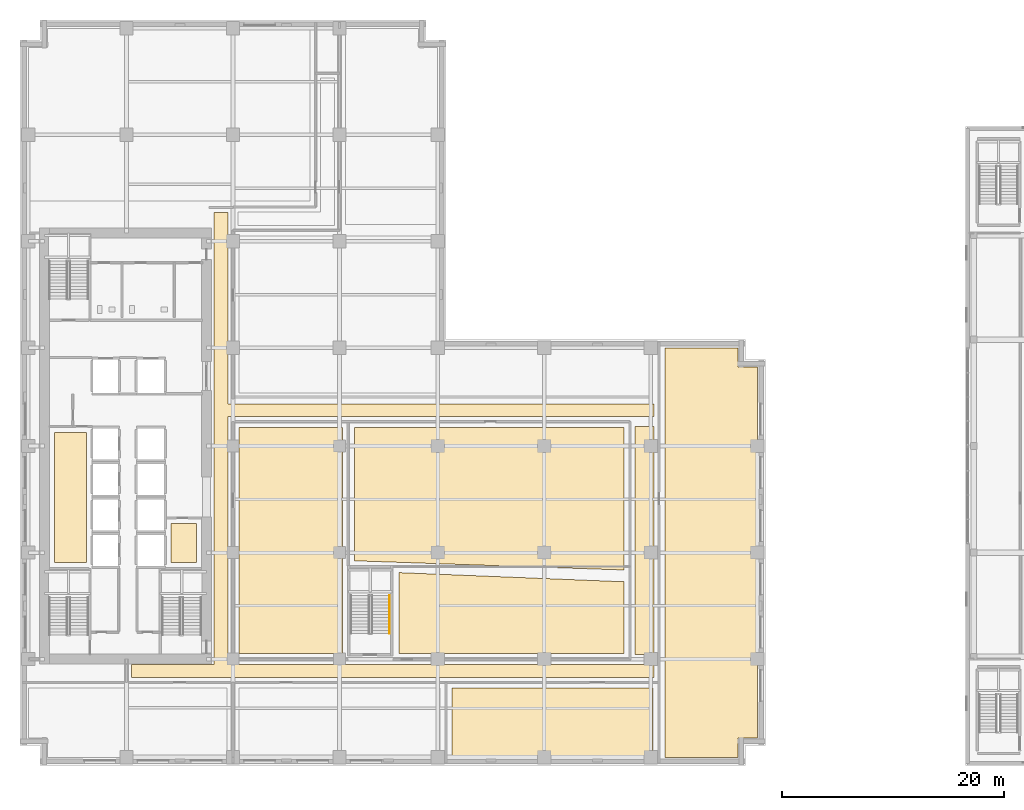
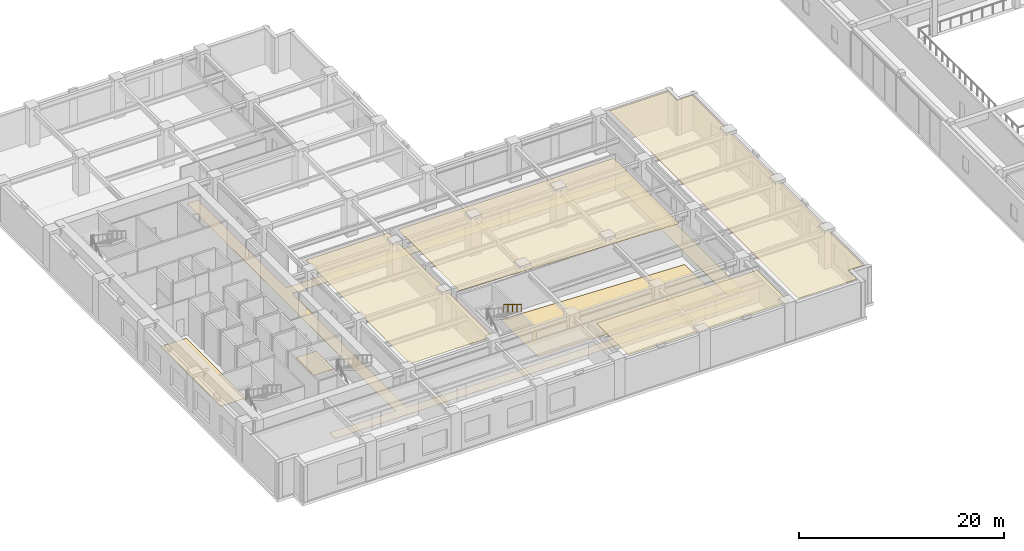
# One storey, part 19 of 24: 9 coverings, 1 railing.
"""IFC4 building model written with IfcOpenShell, lengths in metres."""

import ifcopenshell
import ifcopenshell.guid

model = None  # the IFC model being written
_history = None  # IfcOwnerHistory: only IFC2X3 demands one
_inside = {}  # id of a spatial element -> (the spatial element, [elements in it])
_under = {}  # id of a project, library or spatial element -> (it, [spatial elements below it])
_declared = {}  # id of a project -> (the project, [libraries it declares])
_typed = {}  # id of a type object -> (the type object, [elements of that type])
_made_of = {}  # id of a material, layer set ... -> (it, [elements and type objects made of it])


def new_model(schema):
    """Start an empty IFC model of exactly this schema.

    Asked for "IFC4X3", IfcOpenShell would pick the latest addendum, in which some entities
    have other attributes; the version numbers below select the first issue.
    IFC2X3 requires an IfcOwnerHistory on every rooted entity: one is made here for all.
    """
    global model, _history
    if schema == "IFC4X3":
        model = ifcopenshell.file(schema_version=(4, 3, 0, 0))
    else:
        model = ifcopenshell.file(schema=schema)
    _inside.clear()
    _under.clear()
    _declared.clear()
    _typed.clear()
    _made_of.clear()
    _history = None
    if model.schema == "IFC2X3":
        org = make("IfcOrganization", Name="unknown")
        user = make(
            "IfcPersonAndOrganization",
            ThePerson=make("IfcPerson", FamilyName="unknown"),
            TheOrganization=org,
        )
        app = make(
            "IfcApplication",
            ApplicationDeveloper=org,
            Version="unknown",
            ApplicationFullName="unknown",
            ApplicationIdentifier="unknown",
        )
        _history = make(
            "IfcOwnerHistory",
            OwningUser=user,
            OwningApplication=app,
            ChangeAction="ADDED",
            CreationDate=0,
        )
    return model


def make(cls, **values):
    """One entity of the class cls with the attributes given. An attribute that is None is left unset."""
    return model.create_entity(
        cls, **{name: value for name, value in values.items() if value is not None}
    )


def rooted(cls, **values):
    """An entity with a GlobalId (a new one), such as an element, a storey or a relation."""
    return make(cls, GlobalId=ifcopenshell.guid.new(), OwnerHistory=_history, **values)


def si_unit(unit_type, name, prefix=None):
    """IfcSIUnit, for example si_unit("LENGTHUNIT", "METRE", prefix="MILLI")."""
    return make("IfcSIUnit", UnitType=unit_type, Prefix=prefix, Name=name)


def assignment(units):
    """IfcUnitAssignment: the units of a project."""
    return None if units is None else make("IfcUnitAssignment", Units=units)


def point(xyz):
    """IfcCartesianPoint."""
    return None if xyz is None else make("IfcCartesianPoint", Coordinates=xyz)


def direction(xyz):
    """IfcDirection."""
    return None if xyz is None else make("IfcDirection", DirectionRatios=xyz)


def frame(location, z_axis=None, x_axis=None):
    """IfcAxis2Placement3D, a coordinate frame: its origin and axes. An axis left out is left unset."""
    return make(
        "IfcAxis2Placement3D",
        Location=point(location),
        Axis=direction(z_axis),
        RefDirection=direction(x_axis),
    )


def frame_2d(location, x_axis=None):
    """IfcAxis2Placement2D, a coordinate frame in the plane: its origin and x axis."""
    return make(
        "IfcAxis2Placement2D", Location=point(location), RefDirection=direction(x_axis)
    )


def origin():
    """The frame at (0, 0, 0) with its axes left unset."""
    return frame((0.0, 0.0, 0.0))


def origin_2d():
    """The frame at (0, 0) in the plane with its x axis left unset."""
    return frame_2d((0.0, 0.0))


def place(relative_to, where):
    """IfcLocalPlacement: puts the frame where relative to a parent placement (None: the world)."""
    return make(
        "IfcLocalPlacement", PlacementRelTo=relative_to, RelativePlacement=where
    )


def context(
    kind, dimensions, precision=None, world=None, true_north=None, identifier=None
):
    """IfcGeometricRepresentationContext, for example the 3D "Model" context."""
    return make(
        "IfcGeometricRepresentationContext",
        ContextIdentifier=identifier,
        ContextType=kind,
        CoordinateSpaceDimension=dimensions,
        Precision=precision,
        WorldCoordinateSystem=world,
        TrueNorth=true_north,
    )


def subcontext(parent, identifier, kind, view, scale=None):
    """IfcGeometricRepresentationSubContext, for example "Body" below "Model"."""
    return make(
        "IfcGeometricRepresentationSubContext",
        ContextIdentifier=identifier,
        ContextType=kind,
        ParentContext=parent,
        TargetScale=scale,
        TargetView=view,
    )


def project(units=None, contexts=None):
    """IfcProject with its units and contexts."""
    return rooted(
        "IfcProject",
        Name="project",
        RepresentationContexts=contexts,
        UnitsInContext=assignment(units),
    )


def spatial(cls, under=None, at=None, **own):
    """A site, building, storey or space (cls), placed at a placement, below another one or the project."""
    s = rooted(cls, ObjectPlacement=at, **own)
    if under is not None:
        _under.setdefault(under.id(), (under, []))[1].append(s)
    return s


def polyline(points):
    """IfcPolyline through the points."""
    return make("IfcPolyline", Points=[point(p) for p in points])


def profile(cls, at=None, kind="AREA", **sizes):
    """A parametric profile (cls). Its sizes go by their IFC names, for example OverallWidth=200.0."""
    return make(cls, ProfileType=kind, Position=at, **sizes)


def circle(**sizes):
    """IfcCircleProfileDef."""
    return profile("IfcCircleProfileDef", **sizes)


def outline(outer, holes=None, kind="AREA"):
    """IfcArbitraryClosedProfileDef: a profile drawn as a closed curve; with holes, ...WithVoids."""
    if holes is None:
        return make("IfcArbitraryClosedProfileDef", ProfileType=kind, OuterCurve=outer)
    return make(
        "IfcArbitraryProfileDefWithVoids",
        ProfileType=kind,
        OuterCurve=outer,
        InnerCurves=holes,
    )


def extrude(swept, where, along, depth):
    """IfcExtrudedAreaSolid: the profile swept, set in the frame where, extruded along a direction by depth."""
    return make(
        "IfcExtrudedAreaSolid",
        SweptArea=swept,
        Position=where,
        ExtrudedDirection=direction(along),
        Depth=depth,
    )


def shape(context_of_items, identifier, shape_type, items):
    """IfcShapeRepresentation: the items that make up one representation, for example the "Body"."""
    return make(
        "IfcShapeRepresentation",
        ContextOfItems=context_of_items,
        RepresentationIdentifier=identifier,
        RepresentationType=shape_type,
        Items=items,
    )


def material(Name=None, Category=None):
    """IfcMaterial."""
    return make("IfcMaterial", Name=Name, Category=Category)


def layer(
    of_material, thickness, ventilated=None, Name=None, Category=None, Priority=None
):
    """IfcMaterialLayer: one layer of a wall or slab, of a material (None: an air gap)."""
    return make(
        "IfcMaterialLayer",
        Material=of_material,
        LayerThickness=thickness,
        IsVentilated=ventilated,
        Name=Name,
        Category=Category,
        Priority=Priority,
    )


def layer_set(layers, Name=None):
    """IfcMaterialLayerSet."""
    return make("IfcMaterialLayerSet", MaterialLayers=layers, LayerSetName=Name)


def made_of(thing, what):
    """Note that an element or type object is made of a material, layer set ...; save() writes the relation."""
    if what is not None:
        _made_of.setdefault(what.id(), (what, []))[1].append(thing)
    return thing


def type_object(cls, material=None, **own):
    """A type object (cls), such as IfcWallType, which elements share."""
    return made_of(rooted(cls, **own), material)


def element(
    cls,
    number,
    at=None,
    inside=None,
    cuts=None,
    type_object=None,
    material=None,
    context=None,
    identifier="Body",
    shape_type=None,
    held_by="IfcProductDefinitionShape",
    body=None,
    shapes=None,
    **own,
):
    """One element of the class cls, such as IfcWall. Its Tag is "e" and its number.

    at: its placement. inside: the storey or other place that contains it. cuts: it is an
    opening in that element (IfcRelVoidsElement). A single representation is given by context,
    identifier, shape_type and body (its items); several are given by shapes. held_by: the class
    of the entity that holds the representations. save() writes the other relations.
    """
    e = rooted(cls, Tag="e%d" % number, ObjectPlacement=at, **own)
    if body is not None:
        shapes = [shape(context, identifier, shape_type, body)]
    if shapes is not None:
        e.Representation = make(held_by, Representations=shapes)
    if inside is not None:
        _inside.setdefault(inside.id(), (inside, []))[1].append(e)
    if cuts is not None:
        rooted(
            "IfcRelVoidsElement", RelatingBuildingElement=cuts, RelatedOpeningElement=e
        )
    if type_object is not None:
        _typed.setdefault(type_object.id(), (type_object, []))[1].append(e)
    return made_of(e, material)


def aggregate(whole, parts):
    """IfcRelAggregates: a whole, such as a stair, and the parts it consists of."""
    return rooted("IfcRelAggregates", RelatingObject=whole, RelatedObjects=parts)


def save(model, path):
    """Write the relations noted so far, then the file.

    IfcRelAggregates (storeys below a building ...), IfcRelContainedInSpatialStructure (elements
    in a storey), IfcRelDefinesByType, IfcRelAssociatesMaterial and IfcRelDeclares: one each for
    every whole, place, type object, material and project.
    """
    for whole, parts in _under.values():
        aggregate(whole, parts)
    for where, things in _inside.values():
        rooted(
            "IfcRelContainedInSpatialStructure",
            RelatedElements=things,
            RelatingStructure=where,
        )
    for kind, things in _typed.values():
        rooted("IfcRelDefinesByType", RelatedObjects=things, RelatingType=kind)
    for what, things in _made_of.values():
        rooted("IfcRelAssociatesMaterial", RelatedObjects=things, RelatingMaterial=what)
    for by, libraries in _declared.values():
        rooted("IfcRelDeclares", RelatingContext=by, RelatedDefinitions=libraries)
    model.write(path)


model = new_model("IFC4")

# Units and contexts
model_context = context("Model", 3, precision=1e-05, world=origin(), true_north=direction((0.0, 1.0)))
body_context = subcontext(model_context, "Body", "Model", "MODEL_VIEW")
ifc_project = project(units=[si_unit("LENGTHUNIT", "METRE"), si_unit("AREAUNIT", "SQUARE_METRE"), si_unit("VOLUMEUNIT", "CUBIC_METRE"), si_unit("PLANEANGLEUNIT", "RADIAN"), si_unit("MASSUNIT", "GRAM", prefix="KILO")], contexts=[model_context])

# Site, building, storey
site_placement = place(None, origin())
site = spatial("IfcSite", under=ifc_project, at=site_placement, CompositionType="ELEMENT")
building_placement = place(site_placement, origin())
building = spatial("IfcBuilding", under=site, at=building_placement, Name="Norrvale University Quadrangle", CompositionType="ELEMENT")
storey_placement = place(building_placement, frame((0.0, 0.0, 15.0)))
storey = spatial("IfcBuildingStorey", under=building, at=storey_placement, Name="L03", CompositionType="ELEMENT", Elevation=15.0)

# Coverings
ifc_material_1 = material(Name="Perforated Acoustic Mineral Ceiling")
ifc_layer_1 = layer(ifc_material_1, 0.02490234375, Name="Perforated Acoustic Mineral Ceiling")
ifc_layer_set_1 = layer_set([ifc_layer_1], Name="Perforated Acoustic Mineral Ceiling")
covering_type_1 = type_object("IfcCoveringType", Name="Covering Acoustic Ceiling 25", PredefinedType="CEILING", material=ifc_layer_set_1)
covering_1_placement = place(storey_placement, frame((0.0, 0.0, 4.235107421875)))
element("IfcCovering", 1, at=covering_1_placement, inside=storey, type_object=covering_type_1, Name="Acoustic Ceiling RM-L03-S03", PredefinedType="CEILING", context=body_context, shape_type="SweptSolid", body=[
    extrude(outline(polyline([(38.929931640625, 6.969970703125), (57.070068359375, 6.969970703125), (57.070068359375, 0.75), (38.929931640625, 0.75), (38.929931640625, 6.969970703125)])), origin(), (0.0, 0.0, 1.0), 0.02490234375),
])
covering_2_placement = place(storey_placement, frame((0.0, 0.0, 4.235107421875)))
element("IfcCovering", 2, at=covering_2_placement, inside=storey, type_object=covering_type_1, Name="Acoustic Ceiling RM-L03-E01", PredefinedType="CEILING", context=body_context, shape_type="SweptSolid", body=[
    extrude(outline(polyline([(58.1298828125, 0.75), (58.1298828125, 37.64990234375), (64.72998046875, 37.64990234375), (64.72998046875, 35.929931640625), (66.449951171875, 35.929931640625), (66.449951171875, 2.469970703125), (64.72998046875, 2.469970703125), (64.72998046875, 0.75), (58.1298828125, 0.75)])), origin(), (0.0, 0.0, 1.0), 0.02490234375),
])
covering_3_placement = place(storey_placement, frame((0.0, 0.0, 4.235107421875)))
element("IfcCovering", 3, at=covering_3_placement, inside=storey, type_object=covering_type_1, Name="Acoustic Ceiling RM-L03-IW1", PredefinedType="CEILING", context=body_context, shape_type="SweptSolid", body=[
    extrude(outline(polyline([(19.72998046875, 10.080078125), (19.72998046875, 30.469970703125), (29.050048828125, 30.469970703125), (29.050048828125, 10.080078125), (19.72998046875, 10.080078125)])), origin(), (0.0, 0.0, 1.0), 0.02490234375),
])
covering_4_placement = place(storey_placement, frame((0.0, 0.0, 4.235107421875)))
element("IfcCovering", 4, at=covering_4_placement, inside=storey, type_object=covering_type_1, Name="Acoustic Ceiling RM-L03-ILH", PredefinedType="CEILING", context=body_context, shape_type="SweptSolid", body=[
    extrude(outline(polyline([(30.1298828125, 18.455078125), (30.1298828125, 30.469970703125), (54.445068359375, 30.469970703125), (54.445068359375, 17.6259765625), (30.1298828125, 18.455078125)])), origin(), (0.0, 0.0, 1.0), 0.02490234375),
])
ifc_material_2 = material(Name="Polished Terrazzo Flooring")
ifc_layer_2 = layer(ifc_material_2, 0.02490234375, Name="Polished Terrazzo Flooring")
ifc_layer_set_2 = layer_set([ifc_layer_2], Name="Polished Terrazzo Flooring")
covering_type_2 = type_object("IfcCoveringType", Name="Covering Terrazzo Floor 30", PredefinedType="FLOORING", material=ifc_layer_set_2)
covering_5_placement = place(storey_placement, origin())
element("IfcCovering", 5, at=covering_5_placement, inside=storey, type_object=covering_type_2, Name="Terrazzo Flooring RM-L03-JAN", PredefinedType="FLOORING", context=body_context, shape_type="SweptSolid", body=[
    extrude(outline(polyline([(13.60009765625, 18.300048828125), (13.60009765625, 21.800048828125), (15.89990234375, 21.800048828125), (15.89990234375, 18.300048828125), (13.60009765625, 18.300048828125)])), origin(), (0.0, 0.0, 1.0), 0.02490234375),
])
covering_6_placement = place(storey_placement, origin())
element("IfcCovering", 6, at=covering_6_placement, inside=storey, type_object=covering_type_2, Name="Terrazzo Flooring RM-L03-WSTOR", PredefinedType="FLOORING", context=body_context, shape_type="SweptSolid", body=[
    extrude(outline(polyline([(3.10009765625, 18.300048828125), (3.10009765625, 30.030029296875), (6.0, 30.030029296875), (6.0, 18.300048828125), (3.10009765625, 18.300048828125)])), origin(), (0.0, 0.0, 1.0), 0.02490234375),
])
covering_7_placement = place(storey_placement, origin())
element("IfcCovering", 7, at=covering_7_placement, inside=storey, type_object=covering_type_2, Name="Terrazzo Flooring RM-L03-CORR1", PredefinedType="FLOORING", context=body_context, shape_type="SweptSolid", body=[
    extrude(outline(polyline([(10.050048828125, 7.949951171875), (10.050048828125, 9.10009765625), (17.5, 9.10009765625), (17.5, 49.85009765625), (18.75, 49.85009765625), (18.75, 32.60009765625), (57.14990234375, 32.60009765625), (57.14990234375, 31.449951171875), (18.75, 31.449951171875), (18.75, 9.10009765625), (57.14990234375, 9.10009765625), (57.14990234375, 7.949951171875), (10.050048828125, 7.949951171875)])), origin(), (0.0, 0.0, 1.0), 0.02490234375),
])
covering_8_placement = place(storey_placement, origin())
element("IfcCovering", 8, at=covering_8_placement, inside=storey, type_object=covering_type_2, Name="Terrazzo Flooring RM-L03-CORR2", PredefinedType="FLOORING", context=body_context, shape_type="SweptSolid", body=[
    extrude(outline(polyline([(55.425048828125, 10.0), (55.425048828125, 30.550048828125), (57.14990234375, 30.550048828125), (57.14990234375, 10.0), (55.425048828125, 10.0)])), origin(), (0.0, 0.0, 1.0), 0.02490234375),
])
covering_9_placement = place(storey_placement, origin())
element("IfcCovering", 9, at=covering_9_placement, inside=storey, type_object=covering_type_2, Name="Terrazzo Flooring RM-L03-ISE", PredefinedType="FLOORING", context=body_context, shape_type="SweptSolid", body=[
    extrude(outline(polyline([(34.14990234375, 10.080078125), (34.14990234375, 17.39111328125), (54.445068359375, 16.568115234375), (54.445068359375, 10.080078125), (34.14990234375, 10.080078125)])), origin(), (0.0, 0.0, 1.0), 0.02490234375),
])

# Railing
ifc_material_3 = material(Name="Stainless Steel 316L Handrail", Category="steel")
railing_type = type_object("IfcRailingType", Name="Railing Stair Handrail 920", PredefinedType="HANDRAIL", material=ifc_material_3)
railing_placement = place(storey_placement, frame((33.31005859375, 15.320068359375, 2.476806640625)))
element("IfcRailing", 10, at=railing_placement, inside=storey, type_object=railing_type, Name="Stair Upper Flight Handrail ST-04 L03", PredefinedType="HANDRAIL", context=body_context, shape_type="SweptSolid", body=[
    extrude(circle(Radius=0.02392578125, at=origin_2d()), frame((0.0, 0.0, 0.89599609375), z_axis=(0.0, -0.849592374559, 0.527439851634), x_axis=(1.0, 0.0, 0.0)), (0.0, 0.0, 1.0), 4.025634765625),
    extrude(circle(Radius=0.02099609375, at=origin_2d()), origin(), (0.0, 0.0, 1.0), 0.871826171875),
    extrude(circle(Radius=0.02099609375, at=origin_2d()), frame((0.0, -0.85498046875, 0.53076171875)), (0.0, 0.0, 1.0), 0.871826171875),
    extrude(circle(Radius=0.02099609375, at=origin_2d()), frame((0.0, -1.7099609375, 1.0615234375)), (0.0, 0.0, 1.0), 0.871826171875),
    extrude(circle(Radius=0.02099609375, at=origin_2d()), frame((0.0, -2.565185546875, 1.592529296875)), (0.0, 0.0, 1.0), 0.871826171875),
    extrude(circle(Radius=0.02099609375, at=origin_2d()), frame((0.0, -3.420166015625, 2.123291015625)), (0.0, 0.0, 1.0), 0.871826171875),
])

save(model, "model.ifc")
